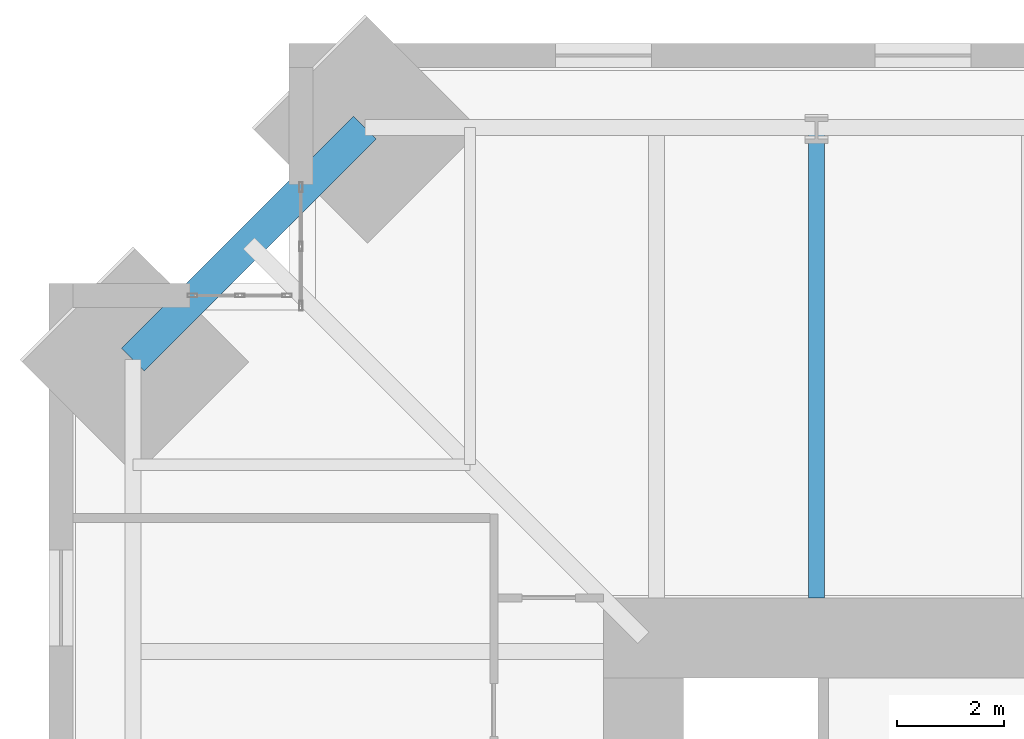
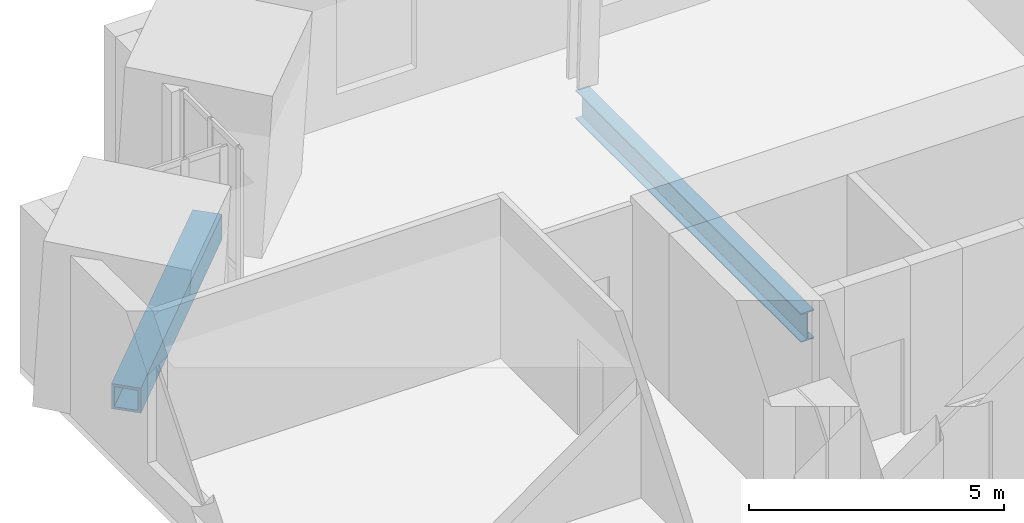
# One storey, part 7 of 18: 2 beams.
"""IFC4 building model written with IfcOpenShell, lengths in metres."""

import ifcopenshell
import ifcopenshell.guid

model = None  # the IFC model being written
_history = None  # IfcOwnerHistory: only IFC2X3 demands one
_inside = {}  # id of a spatial element -> (the spatial element, [elements in it])
_under = {}  # id of a project, library or spatial element -> (it, [spatial elements below it])
_declared = {}  # id of a project -> (the project, [libraries it declares])
_typed = {}  # id of a type object -> (the type object, [elements of that type])
_made_of = {}  # id of a material, layer set ... -> (it, [elements and type objects made of it])


def new_model(schema):
    """Start an empty IFC model of exactly this schema.

    Asked for "IFC4X3", IfcOpenShell would pick the latest addendum, in which some entities
    have other attributes; the version numbers below select the first issue.
    IFC2X3 requires an IfcOwnerHistory on every rooted entity: one is made here for all.
    """
    global model, _history
    if schema == "IFC4X3":
        model = ifcopenshell.file(schema_version=(4, 3, 0, 0))
    else:
        model = ifcopenshell.file(schema=schema)
    _inside.clear()
    _under.clear()
    _declared.clear()
    _typed.clear()
    _made_of.clear()
    _history = None
    if model.schema == "IFC2X3":
        org = make("IfcOrganization", Name="unknown")
        user = make(
            "IfcPersonAndOrganization",
            ThePerson=make("IfcPerson", FamilyName="unknown"),
            TheOrganization=org,
        )
        app = make(
            "IfcApplication",
            ApplicationDeveloper=org,
            Version="unknown",
            ApplicationFullName="unknown",
            ApplicationIdentifier="unknown",
        )
        _history = make(
            "IfcOwnerHistory",
            OwningUser=user,
            OwningApplication=app,
            ChangeAction="ADDED",
            CreationDate=0,
        )
    return model


def make(cls, **values):
    """One entity of the class cls with the attributes given. An attribute that is None is left unset."""
    return model.create_entity(
        cls, **{name: value for name, value in values.items() if value is not None}
    )


def rooted(cls, **values):
    """An entity with a GlobalId (a new one), such as an element, a storey or a relation."""
    return make(cls, GlobalId=ifcopenshell.guid.new(), OwnerHistory=_history, **values)


def si_unit(unit_type, name, prefix=None):
    """IfcSIUnit, for example si_unit("LENGTHUNIT", "METRE", prefix="MILLI")."""
    return make("IfcSIUnit", UnitType=unit_type, Prefix=prefix, Name=name)


def assignment(units):
    """IfcUnitAssignment: the units of a project."""
    return None if units is None else make("IfcUnitAssignment", Units=units)


def point(xyz):
    """IfcCartesianPoint."""
    return None if xyz is None else make("IfcCartesianPoint", Coordinates=xyz)


def direction(xyz):
    """IfcDirection."""
    return None if xyz is None else make("IfcDirection", DirectionRatios=xyz)


def frame(location, z_axis=None, x_axis=None):
    """IfcAxis2Placement3D, a coordinate frame: its origin and axes. An axis left out is left unset."""
    return make(
        "IfcAxis2Placement3D",
        Location=point(location),
        Axis=direction(z_axis),
        RefDirection=direction(x_axis),
    )


def frame_2d(location, x_axis=None):
    """IfcAxis2Placement2D, a coordinate frame in the plane: its origin and x axis."""
    return make(
        "IfcAxis2Placement2D", Location=point(location), RefDirection=direction(x_axis)
    )


def origin():
    """The frame at (0, 0, 0) with its axes left unset."""
    return frame((0.0, 0.0, 0.0))


def origin_2d():
    """The frame at (0, 0) in the plane with its x axis left unset."""
    return frame_2d((0.0, 0.0))


def place(relative_to, where):
    """IfcLocalPlacement: puts the frame where relative to a parent placement (None: the world)."""
    return make(
        "IfcLocalPlacement", PlacementRelTo=relative_to, RelativePlacement=where
    )


def context(
    kind, dimensions, precision=None, world=None, true_north=None, identifier=None
):
    """IfcGeometricRepresentationContext, for example the 3D "Model" context."""
    return make(
        "IfcGeometricRepresentationContext",
        ContextIdentifier=identifier,
        ContextType=kind,
        CoordinateSpaceDimension=dimensions,
        Precision=precision,
        WorldCoordinateSystem=world,
        TrueNorth=true_north,
    )


def subcontext(parent, identifier, kind, view, scale=None):
    """IfcGeometricRepresentationSubContext, for example "Body" below "Model"."""
    return make(
        "IfcGeometricRepresentationSubContext",
        ContextIdentifier=identifier,
        ContextType=kind,
        ParentContext=parent,
        TargetScale=scale,
        TargetView=view,
    )


def project(units=None, contexts=None):
    """IfcProject with its units and contexts."""
    return rooted(
        "IfcProject",
        Name="project",
        RepresentationContexts=contexts,
        UnitsInContext=assignment(units),
    )


def spatial(cls, under=None, at=None, **own):
    """A site, building, storey or space (cls), placed at a placement, below another one or the project."""
    s = rooted(cls, ObjectPlacement=at, **own)
    if under is not None:
        _under.setdefault(under.id(), (under, []))[1].append(s)
    return s


def profile(cls, at=None, kind="AREA", **sizes):
    """A parametric profile (cls). Its sizes go by their IFC names, for example OverallWidth=200.0."""
    return make(cls, ProfileType=kind, Position=at, **sizes)


def hollow_rectangle(**sizes):
    """IfcRectangleHollowProfileDef."""
    return profile("IfcRectangleHollowProfileDef", **sizes)


def i_section(**sizes):
    """IfcIShapeProfileDef."""
    return profile("IfcIShapeProfileDef", **sizes)


def extrude(swept, where, along, depth):
    """IfcExtrudedAreaSolid: the profile swept, set in the frame where, extruded along a direction by depth."""
    return make(
        "IfcExtrudedAreaSolid",
        SweptArea=swept,
        Position=where,
        ExtrudedDirection=direction(along),
        Depth=depth,
    )


def shape(context_of_items, identifier, shape_type, items):
    """IfcShapeRepresentation: the items that make up one representation, for example the "Body"."""
    return make(
        "IfcShapeRepresentation",
        ContextOfItems=context_of_items,
        RepresentationIdentifier=identifier,
        RepresentationType=shape_type,
        Items=items,
    )


def material(Name=None, Category=None):
    """IfcMaterial."""
    return make("IfcMaterial", Name=Name, Category=Category)


def material_profile(
    of_material, cross_section, Name=None, Category=None, Priority=None
):
    """IfcMaterialProfile: a cross section and its material."""
    return make(
        "IfcMaterialProfile",
        Name=Name,
        Material=of_material,
        Profile=cross_section,
        Priority=Priority,
        Category=Category,
    )


def profile_set(profiles, Name=None, composite=None):
    """IfcMaterialProfileSet."""
    return make(
        "IfcMaterialProfileSet",
        Name=Name,
        MaterialProfiles=profiles,
        CompositeProfile=composite,
    )


def made_of(thing, what):
    """Note that an element or type object is made of a material, layer set ...; save() writes the relation."""
    if what is not None:
        _made_of.setdefault(what.id(), (what, []))[1].append(thing)
    return thing


def type_object(cls, material=None, **own):
    """A type object (cls), such as IfcWallType, which elements share."""
    return made_of(rooted(cls, **own), material)


def element(
    cls,
    number,
    at=None,
    inside=None,
    cuts=None,
    type_object=None,
    material=None,
    context=None,
    identifier="Body",
    shape_type=None,
    held_by="IfcProductDefinitionShape",
    body=None,
    shapes=None,
    **own,
):
    """One element of the class cls, such as IfcWall. Its Tag is "e" and its number.

    at: its placement. inside: the storey or other place that contains it. cuts: it is an
    opening in that element (IfcRelVoidsElement). A single representation is given by context,
    identifier, shape_type and body (its items); several are given by shapes. held_by: the class
    of the entity that holds the representations. save() writes the other relations.
    """
    e = rooted(cls, Tag="e%d" % number, ObjectPlacement=at, **own)
    if body is not None:
        shapes = [shape(context, identifier, shape_type, body)]
    if shapes is not None:
        e.Representation = make(held_by, Representations=shapes)
    if inside is not None:
        _inside.setdefault(inside.id(), (inside, []))[1].append(e)
    if cuts is not None:
        rooted(
            "IfcRelVoidsElement", RelatingBuildingElement=cuts, RelatedOpeningElement=e
        )
    if type_object is not None:
        _typed.setdefault(type_object.id(), (type_object, []))[1].append(e)
    return made_of(e, material)


def aggregate(whole, parts):
    """IfcRelAggregates: a whole, such as a stair, and the parts it consists of."""
    return rooted("IfcRelAggregates", RelatingObject=whole, RelatedObjects=parts)


def save(model, path):
    """Write the relations noted so far, then the file.

    IfcRelAggregates (storeys below a building ...), IfcRelContainedInSpatialStructure (elements
    in a storey), IfcRelDefinesByType, IfcRelAssociatesMaterial and IfcRelDeclares: one each for
    every whole, place, type object, material and project.
    """
    for whole, parts in _under.values():
        aggregate(whole, parts)
    for where, things in _inside.values():
        rooted(
            "IfcRelContainedInSpatialStructure",
            RelatedElements=things,
            RelatingStructure=where,
        )
    for kind, things in _typed.values():
        rooted("IfcRelDefinesByType", RelatedObjects=things, RelatingType=kind)
    for what, things in _made_of.values():
        rooted("IfcRelAssociatesMaterial", RelatedObjects=things, RelatingMaterial=what)
    for by, libraries in _declared.values():
        rooted("IfcRelDeclares", RelatingContext=by, RelatedDefinitions=libraries)
    model.write(path)


model = new_model("IFC4")

# Units and contexts
model_context = context("Model", 3, precision=1e-05, world=origin(), true_north=direction((0.0, 1.0)))
body_context = subcontext(model_context, "Body", "Model", "MODEL_VIEW")
ifc_project = project(units=[si_unit("LENGTHUNIT", "METRE"), si_unit("AREAUNIT", "SQUARE_METRE"), si_unit("VOLUMEUNIT", "CUBIC_METRE"), si_unit("PLANEANGLEUNIT", "RADIAN"), si_unit("MASSUNIT", "GRAM", prefix="KILO")], contexts=[model_context])

# Site, building, storey
site_placement = place(None, origin())
site = spatial("IfcSite", under=ifc_project, at=site_placement, CompositionType="ELEMENT")
building_placement = place(site_placement, origin())
building = spatial("IfcBuilding", under=site, at=building_placement, Name="Peilmerk Tower", CompositionType="ELEMENT")
storey_placement = place(building_placement, frame((0.0, 0.0, 249.800048828125)))
storey = spatial("IfcBuildingStorey", under=building, at=storey_placement, Name="L55", CompositionType="ELEMENT", Elevation=249.800048828125)

# Beams
ifc_material_1 = material(Name="Steel S355", Category="steel")
ifc_material_profile_1 = material_profile(ifc_material_1, i_section(OverallWidth=0.300048828125, OverallDepth=0.68994140625, WebThickness=0.014404296875, FlangeThickness=0.027099609375, at=origin_2d()), Name="HEA 700")
ifc_profile_set_1 = profile_set([ifc_material_profile_1], Name="Steel S355")
beam_type_1 = type_object("IfcBeamType", Name="B16 HEA 700 floor beam", PredefinedType="BEAM", material=ifc_profile_set_1)
beam_1_placement = place(storey_placement, frame((-8.0, 12.0, -0.51513671875), z_axis=(0.0, 1.0, 0.0), x_axis=(-1.0, 0.0, 0.0)))
element("IfcBeam", 1, at=beam_1_placement, inside=storey, type_object=beam_type_1, Name="Floor beam L55", PredefinedType="BEAM", context=body_context, shape_type="SweptSolid", body=[
    extrude(i_section(OverallWidth=0.300048828125, OverallDepth=0.68994140625, WebThickness=0.014404296875, FlangeThickness=0.027099609375, at=origin_2d()), origin(), (0.0, 0.0, 1.0), 8.82421875),
])
ifc_material_2 = material(Name="Steel S460", Category="steel")
ifc_material_profile_2 = material_profile(ifc_material_2, hollow_rectangle(XDim=0.60009765625, YDim=0.60009765625, WallThickness=0.06005859375, at=origin_2d()), Name="BOX 600x600x60")
ifc_profile_set_2 = profile_set([ifc_material_profile_2], Name="Steel S460")
beam_type_2 = type_object("IfcBeamType", Name="B20 BOX 600x600x60 notch beam", PredefinedType="SPANDREL", material=ifc_profile_set_2)
beam_2_placement = place(storey_placement, frame((-20.82421875, 16.47412109375, -0.469970703125), z_axis=(0.707106781187, 0.707106781187, 0.0), x_axis=(-0.707106781187, 0.707106781187, 0.0)))
element("IfcBeam", 2, at=beam_2_placement, inside=storey, type_object=beam_type_2, Name="Notch beam L55", PredefinedType="SPANDREL", context=body_context, shape_type="SweptSolid", body=[
    extrude(hollow_rectangle(XDim=0.60009765625, YDim=0.60009765625, WallThickness=0.06005859375, at=origin_2d()), origin(), (0.0, 0.0, 1.0), 6.15185546875),
])

save(model, "model.ifc")
